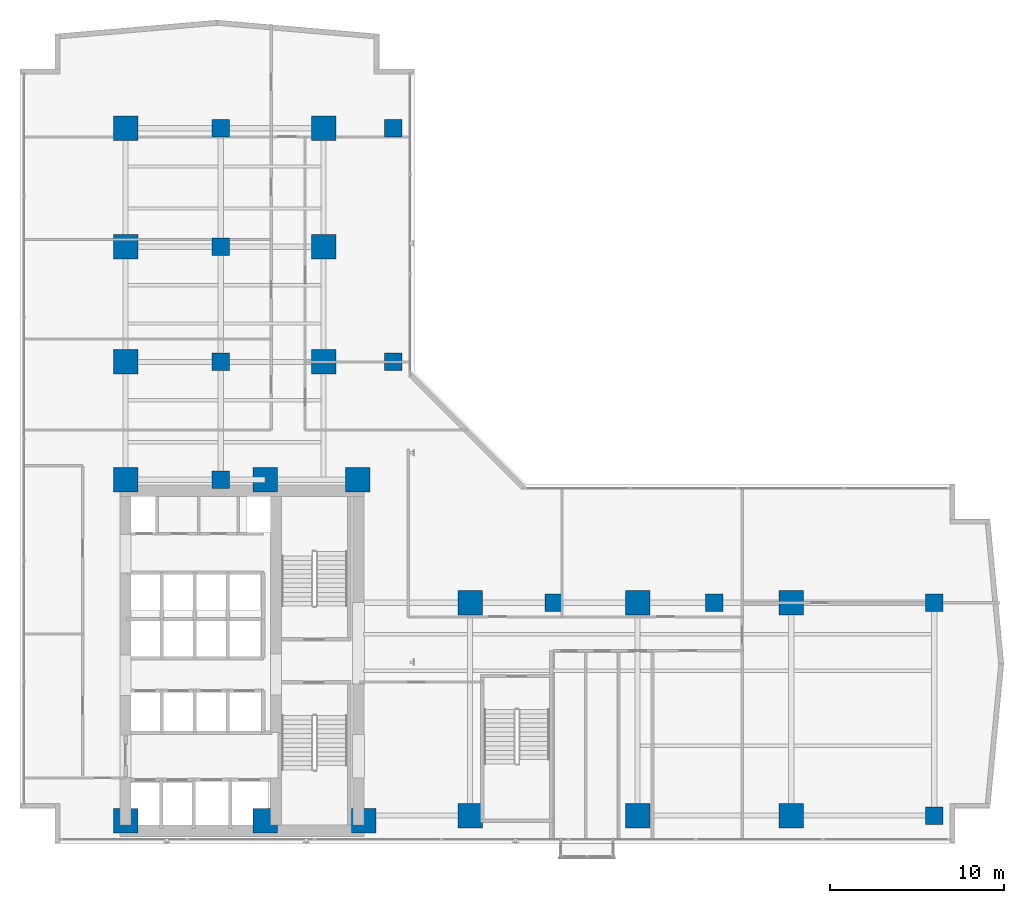
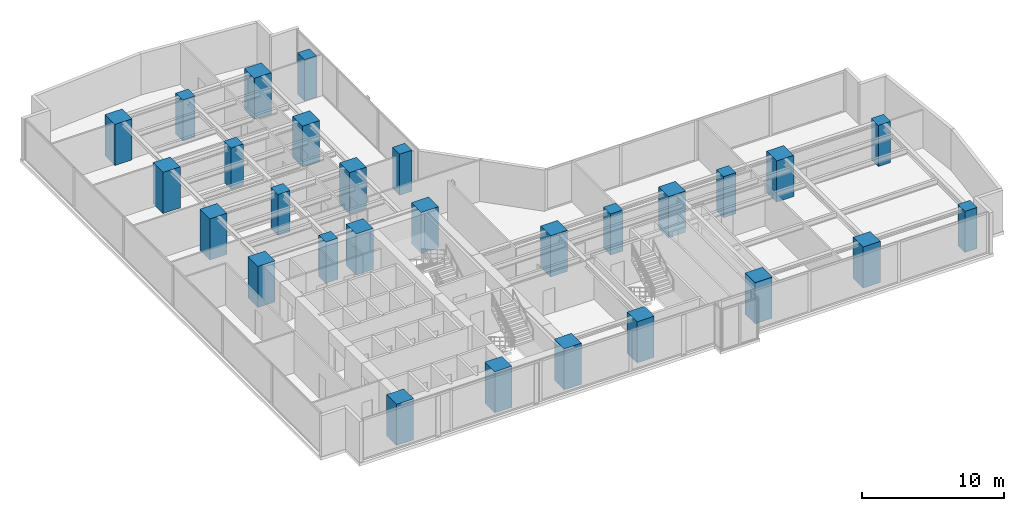
# One storey, part 1 of 26: 28 columns.
"""IFC4 building model written with IfcOpenShell, lengths in metres."""

from ifc_helpers import new_model, si_unit, direction, frame, origin, origin_2d, place, context, subcontext, project, spatial, rectangle, extrude, material, material_profile, profile_set, type_object, element, save


model = new_model("IFC4")

# Units and contexts
model_context = context("Model", 3, precision=1e-05, world=origin(), true_north=direction((0.0, 1.0)))
body_context = subcontext(model_context, "Body", "Model", "MODEL_VIEW")
ifc_project = project(units=[si_unit("LENGTHUNIT", "METRE"), si_unit("AREAUNIT", "SQUARE_METRE"), si_unit("VOLUMEUNIT", "CUBIC_METRE"), si_unit("PLANEANGLEUNIT", "RADIAN"), si_unit("MASSUNIT", "GRAM", prefix="KILO")], contexts=[model_context])

# Site, building, storey
site_placement = place(None, origin())
site = spatial("IfcSite", under=ifc_project, at=site_placement, CompositionType="ELEMENT")
building_placement = place(site_placement, origin())
building = spatial("IfcBuilding", under=site, at=building_placement, Name="Kolvaren Waterfront Exchange", CompositionType="ELEMENT")
storey_placement = place(building_placement, frame((0.0, 0.0, 99.300048828125)))
storey = spatial("IfcBuildingStorey", under=building, at=storey_placement, Name="L25", CompositionType="ELEMENT", Elevation=99.300048828125)

# Columns
ifc_material = material(Name="Concrete C60/75", Category="concrete")
ifc_material_profile_1 = material_profile(ifc_material, rectangle(XDim=1.0, YDim=1.0, at=origin_2d()), Name="RC-COL-1000x1000")
ifc_profile_set_1 = profile_set([ifc_material_profile_1], Name="Concrete C60/75")
column_type_1 = type_object("IfcColumnType", Name="STR-COL-1000-C60", PredefinedType="COLUMN", material=ifc_profile_set_1)
for number, where, z_axis, x_axis, name in (
    (1, (53.800048828125, 5.199951171875, 0.0), (0.0, 0.0, 1.0), (1.0, 0.0, 0.0), "L25 column ZC01"),
    (2, (53.800048828125, 17.39990234375, 0.0), (0.0, 0.0, 1.0), (1.0, 0.0, 0.0), "L25 column ZC02"),
    (3, (22.800048828125, 31.199951171875, 0.0), (0.0, 0.0, 1.0), (1.0, 0.0, 0.0), "L25 column ZC05"),
    (4, (22.800048828125, 44.60009765625, 0.0), (0.0, 0.0, 1.0), (1.0, 0.0, 0.0), "L25 column ZC06"),
    (5, (12.89990234375, 24.449951171875, 0.0), (0.0, 0.0, 1.0), (1.0, 0.0, 0.0), "L25 column TC01"),
    (6, (12.89990234375, 31.199951171875, 0.0), (0.0, 0.0, 1.0), (1.0, 0.0, 0.0), "L25 column TC02"),
    (7, (12.89990234375, 37.800048828125, 0.0), (0.0, 0.0, 1.0), (1.0, 0.0, 0.0), "L25 column TC03"),
    (8, (12.89990234375, 44.60009765625, 0.0), (0.0, 0.0, 1.0), (1.0, 0.0, 0.0), "L25 column TC04"),
    (9, (32.0, 17.39990234375, 0.0), (0.0, 0.0, 1.0), (1.0, 0.0, 0.0), "L25 column TC05"),
    (10, (41.199951171875, 17.39990234375, 0.0), (0.0, 0.0, 1.0), (1.0, 0.0, 0.0), "L25 column TC06"),
):
    element("IfcColumn", number, at=place(storey_placement, frame(where, z_axis=z_axis, x_axis=x_axis)), inside=storey, type_object=column_type_1, Name=name, PredefinedType="COLUMN", context=body_context, shape_type="SweptSolid", body=[
        extrude(rectangle(XDim=1.0, YDim=1.0, at=origin_2d()), origin(), (0.0, 0.0, 1.0), 3.5400390625),
    ])
ifc_material_profile_2 = material_profile(ifc_material, rectangle(XDim=1.39990234375, YDim=1.39990234375, at=origin_2d()), Name="RC-COL-1400x1400")
ifc_profile_set_2 = profile_set([ifc_material_profile_2], Name="Concrete C60/75")
column_type_2 = type_object("IfcColumnType", Name="STR-COL-1400-C60", PredefinedType="COLUMN", material=ifc_profile_set_2)
for number, where, z_axis, x_axis, name in (
    (11, (7.449951171875, 4.89990234375, 0.0), (0.0, 0.0, 1.0), (1.0, 0.0, 0.0), "L25 column MC01"),
    (12, (15.449951171875, 4.89990234375, 0.0), (0.0, 0.0, 1.0), (1.0, 0.0, 0.0), "L25 column MC02"),
    (13, (21.10009765625, 4.89990234375, 0.0), (0.0, 0.0, 1.0), (1.0, 0.0, 0.0), "L25 column MC03"),
    (14, (7.449951171875, 24.449951171875, 0.0), (0.0, 0.0, 1.0), (1.0, 0.0, 0.0), "L25 column MC04"),
    (15, (15.449951171875, 24.449951171875, 0.0), (0.0, 0.0, 1.0), (1.0, 0.0, 0.0), "L25 column MC05"),
    (16, (20.75, 24.449951171875, 0.0), (0.0, 0.0, 1.0), (1.0, 0.0, 0.0), "L25 column MC06"),
    (17, (7.449951171875, 31.199951171875, 0.0), (0.0, 0.0, 1.0), (1.0, 0.0, 0.0), "L25 column NC01"),
    (18, (7.449951171875, 37.800048828125, 0.0), (0.0, 0.0, 1.0), (1.0, 0.0, 0.0), "L25 column NC02"),
    (19, (7.449951171875, 44.60009765625, 0.0), (0.0, 0.0, 1.0), (1.0, 0.0, 0.0), "L25 column NC03"),
    (20, (18.800048828125, 31.199951171875, 0.0), (0.0, 0.0, 1.0), (1.0, 0.0, 0.0), "L25 column NC04"),
    (21, (18.800048828125, 37.800048828125, 0.0), (0.0, 0.0, 1.0), (1.0, 0.0, 0.0), "L25 column NC05"),
    (22, (18.800048828125, 44.60009765625, 0.0), (0.0, 0.0, 1.0), (1.0, 0.0, 0.0), "L25 column NC06"),
    (23, (27.199951171875, 5.199951171875, 0.0), (0.0, 0.0, 1.0), (1.0, 0.0, 0.0), "L25 column EC01"),
    (24, (36.800048828125, 5.199951171875, 0.0), (0.0, 0.0, 1.0), (1.0, 0.0, 0.0), "L25 column EC02"),
    (25, (45.60009765625, 5.199951171875, 0.0), (0.0, 0.0, 1.0), (1.0, 0.0, 0.0), "L25 column EC03"),
    (26, (27.199951171875, 17.39990234375, 0.0), (0.0, 0.0, 1.0), (1.0, 0.0, 0.0), "L25 column EC04"),
    (27, (36.800048828125, 17.39990234375, 0.0), (0.0, 0.0, 1.0), (1.0, 0.0, 0.0), "L25 column EC05"),
    (28, (45.60009765625, 17.39990234375, 0.0), (0.0, 0.0, 1.0), (1.0, 0.0, 0.0), "L25 column EC06"),
):
    element("IfcColumn", number, at=place(storey_placement, frame(where, z_axis=z_axis, x_axis=x_axis)), inside=storey, type_object=column_type_2, Name=name, PredefinedType="COLUMN", context=body_context, shape_type="SweptSolid", body=[
        extrude(rectangle(XDim=1.39990234375, YDim=1.39990234375, at=origin_2d()), origin(), (0.0, 0.0, 1.0), 3.5400390625),
    ])

save(model, "model.ifc")
